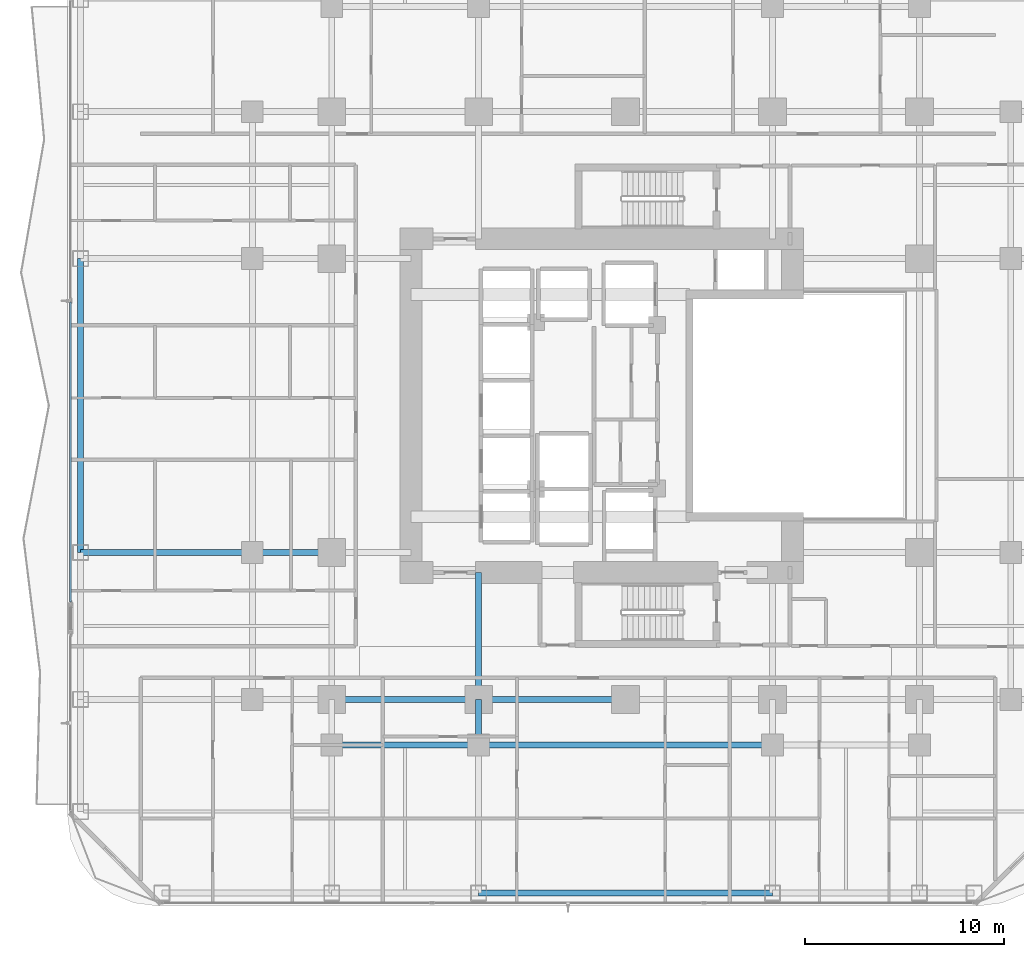
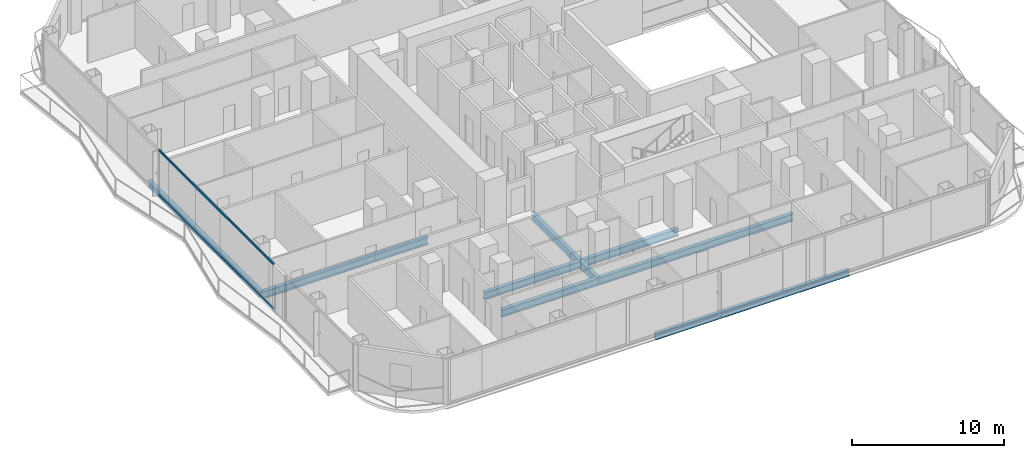
# One storey, part 5 of 30: 10 beams, 2 members, 1 element without a shape of its own.
"""IFC4 building model written with IfcOpenShell, lengths in metres."""

from ifc_helpers import new_model, si_unit, direction, frame, origin, origin_2d, place, context, subcontext, project, spatial, hollow_rectangle, i_section, extrude, material, layer, layer_set, material_profile, profile_set, type_object, element, aggregate, save


model = new_model("IFC4")

# Units and contexts
model_context = context("Model", 3, precision=1e-05, world=origin(), true_north=direction((0.0, 1.0)))
body_context = subcontext(model_context, "Body", "Model", "MODEL_VIEW")
ifc_project = project(units=[si_unit("LENGTHUNIT", "METRE"), si_unit("AREAUNIT", "SQUARE_METRE"), si_unit("VOLUMEUNIT", "CUBIC_METRE"), si_unit("PLANEANGLEUNIT", "RADIAN"), si_unit("MASSUNIT", "GRAM", prefix="KILO")], contexts=[model_context])

# Site, building, storey
site_placement = place(None, origin())
site = spatial("IfcSite", under=ifc_project, at=site_placement, CompositionType="ELEMENT")
building_placement = place(site_placement, origin())
building = spatial("IfcBuilding", under=site, at=building_placement, Name="Khorvyn Point Tower", CompositionType="ELEMENT")
storey_placement = place(building_placement, frame((0.0, 0.0, 57.89990234375)))
storey = spatial("IfcBuildingStorey", under=building, at=storey_placement, Name="L15", CompositionType="ELEMENT", Elevation=57.89990234375)

# Curtain wall, members
ifc_material_1 = material(Name="Anodised aluminium 6063-T6 and laminated Low-E glass", Category="aluminium")
ifc_layer = layer(ifc_material_1, 0.18994140625)
ifc_layer_set = layer_set([ifc_layer], Name="Stick-Built Finned Residential Curtain Wall CW-SYS-02")
curtain_wall_type = type_object("IfcCurtainWallType", Name="Stick-Built Finned Residential Curtain Wall CW-SYS-02", PredefinedType="NOTDEFINED", material=ifc_layer_set)
curtain_wall_placement = place(storey_placement, origin())
curtain_wall = element("IfcCurtainWall", 1, at=curtain_wall_placement, inside=storey, type_object=curtain_wall_type, Name="Curtain Wall", PredefinedType="NOTDEFINED")
ifc_material_2 = material(Name="Anodised aluminium 6063-T6", Category="aluminium")
ifc_material_profile_1 = material_profile(ifc_material_2, hollow_rectangle(XDim=0.10009765625, YDim=0.159912109375, WallThickness=0.00439453125, at=origin_2d()))
ifc_profile_set_1 = profile_set([ifc_material_profile_1], Name="Anodised aluminium 6063-T6 ALU-TRN-100x160")
member_type = type_object("IfcMemberType", Name="Anodised Aluminium 6063-T6 Transom ALU-TRN-100x160", PredefinedType="USERDEFINED", material=ifc_profile_set_1)
member_1_placement = place(storey_placement, frame((-27.949951171875, -9.89990234375, 0.050048828125), z_axis=(0.0, 1.0, 0.0), x_axis=(-1.0, 0.0, 0.0)))
member_1 = element("IfcMember", 2, at=member_1_placement, type_object=member_type, Name="Transom", ObjectType="TRANSOM", PredefinedType="USERDEFINED", context=body_context, shape_type="SweptSolid", body=[
    extrude(hollow_rectangle(XDim=0.10009765625, YDim=0.159912109375, WallThickness=0.00439453125, at=origin_2d()), origin(), (0.0, 0.0, 1.0), 15.125),
])
member_2_placement = place(storey_placement, frame((-27.949951171875, -9.89990234375, 3.630126953125), z_axis=(0.0, 1.0, 0.0), x_axis=(-1.0, 0.0, 0.0)))
member_2 = element("IfcMember", 3, at=member_2_placement, type_object=member_type, Name="Transom", ObjectType="TRANSOM", PredefinedType="USERDEFINED", context=body_context, shape_type="SweptSolid", body=[
    extrude(hollow_rectangle(XDim=0.10009765625, YDim=0.159912109375, WallThickness=0.00439453125, at=origin_2d()), origin(), (0.0, 0.0, 1.0), 15.125),
])
aggregate(curtain_wall, [member_1, member_2])

# Beams
ifc_material_3 = material(Name="Steel S355", Category="steel")
ifc_material_profile_2 = material_profile(ifc_material_3, i_section(OverallWidth=0.300048828125, OverallDepth=0.587890625, WebThickness=0.011962890625, FlangeThickness=0.02001953125, at=origin_2d()))
ifc_profile_set_2 = profile_set([ifc_material_profile_2], Name="Steel S355 H588x300x12x20")
beam_type_1 = type_object("IfcBeamType", Name="Steel S355 Beam H588x300x12x20", PredefinedType="BEAM", material=ifc_profile_set_2)
beam_1_placement = place(storey_placement, frame((-14.800048828125, -14.800048828125, -0.513916015625), z_axis=(1.0, 0.0, 0.0), x_axis=(0.0, 1.0, 0.0)))
element("IfcBeam", 4, at=beam_1_placement, inside=storey, type_object=beam_type_1, Name="Beam", PredefinedType="BEAM", context=body_context, shape_type="SweptSolid", body=[
    extrude(i_section(OverallWidth=0.300048828125, OverallDepth=0.587890625, WebThickness=0.011962890625, FlangeThickness=0.02001953125, at=origin_2d()), origin(), (0.0, 0.0, 1.0), 7.400146484375),
])
beam_2_placement = place(storey_placement, frame((-7.39990234375, -14.800048828125, -0.513916015625), z_axis=(1.0, 0.0, 0.0), x_axis=(0.0, 1.0, 0.0)))
element("IfcBeam", 5, at=beam_2_placement, inside=storey, type_object=beam_type_1, Name="Beam", PredefinedType="BEAM", context=body_context, shape_type="SweptSolid", body=[
    extrude(i_section(OverallWidth=0.300048828125, OverallDepth=0.587890625, WebThickness=0.011962890625, FlangeThickness=0.02001953125, at=origin_2d()), origin(), (0.0, 0.0, 1.0), 7.39990234375),
])
beam_3_placement = place(storey_placement, frame((-27.449951171875, -7.39990234375, -0.513916015625), z_axis=(1.0, 0.0, 0.0), x_axis=(0.0, 1.0, 0.0)))
element("IfcBeam", 6, at=beam_3_placement, inside=storey, type_object=beam_type_1, Name="Beam", PredefinedType="BEAM", context=body_context, shape_type="SweptSolid", body=[
    extrude(i_section(OverallWidth=0.300048828125, OverallDepth=0.587890625, WebThickness=0.011962890625, FlangeThickness=0.02001953125, at=origin_2d()), origin(), (0.0, 0.0, 1.0), 8.64990234375),
])
beam_4_placement = place(storey_placement, frame((-18.800048828125, -7.39990234375, -0.513916015625), z_axis=(1.0, 0.0, 0.0), x_axis=(0.0, 1.0, 0.0)))
element("IfcBeam", 7, at=beam_4_placement, inside=storey, type_object=beam_type_1, Name="Beam", PredefinedType="BEAM", context=body_context, shape_type="SweptSolid", body=[
    extrude(i_section(OverallWidth=0.300048828125, OverallDepth=0.587890625, WebThickness=0.011962890625, FlangeThickness=0.02001953125, at=origin_2d()), origin(), (0.0, 0.0, 1.0), 4.0),
])
beam_5_placement = place(storey_placement, frame((-14.800048828125, -17.10009765625, -0.513916015625), z_axis=(1.0, 0.0, 0.0), x_axis=(0.0, 1.0, 0.0)))
element("IfcBeam", 8, at=beam_5_placement, inside=storey, type_object=beam_type_1, Name="Beam", PredefinedType="BEAM", context=body_context, shape_type="SweptSolid", body=[
    extrude(i_section(OverallWidth=0.300048828125, OverallDepth=0.587890625, WebThickness=0.011962890625, FlangeThickness=0.02001953125, at=origin_2d()), origin(), (0.0, 0.0, 1.0), 7.400146484375),
])
beam_6_placement = place(storey_placement, frame((-7.39990234375, -17.10009765625, -0.513916015625), z_axis=(1.0, 0.0, 0.0), x_axis=(0.0, 1.0, 0.0)))
element("IfcBeam", 9, at=beam_6_placement, inside=storey, type_object=beam_type_1, Name="Beam", PredefinedType="BEAM", context=body_context, shape_type="SweptSolid", body=[
    extrude(i_section(OverallWidth=0.300048828125, OverallDepth=0.587890625, WebThickness=0.011962890625, FlangeThickness=0.02001953125, at=origin_2d()), origin(), (0.0, 0.0, 1.0), 14.7998046875),
])
beam_7_placement = place(storey_placement, frame((-7.39990234375, -17.10009765625, -0.513916015625), z_axis=(0.0, 1.0, 0.0), x_axis=(-1.0, 0.0, 0.0)))
element("IfcBeam", 10, at=beam_7_placement, inside=storey, type_object=beam_type_1, Name="Beam", PredefinedType="BEAM", context=body_context, shape_type="SweptSolid", body=[
    extrude(i_section(OverallWidth=0.300048828125, OverallDepth=0.587890625, WebThickness=0.011962890625, FlangeThickness=0.02001953125, at=origin_2d()), origin(), (0.0, 0.0, 1.0), 2.300048828125),
])
beam_8_placement = place(storey_placement, frame((-7.39990234375, -14.800048828125, -0.513916015625), z_axis=(0.0, 1.0, 0.0), x_axis=(-1.0, 0.0, 0.0)))
element("IfcBeam", 11, at=beam_8_placement, inside=storey, type_object=beam_type_1, Name="Beam", PredefinedType="BEAM", context=body_context, shape_type="SweptSolid", body=[
    extrude(i_section(OverallWidth=0.300048828125, OverallDepth=0.587890625, WebThickness=0.011962890625, FlangeThickness=0.02001953125, at=origin_2d()), origin(), (0.0, 0.0, 1.0), 6.400146484375),
])
ifc_material_profile_3 = material_profile(ifc_material_3, i_section(OverallWidth=0.300048828125, OverallDepth=0.488037109375, WebThickness=0.010986328125, FlangeThickness=0.01806640625, at=origin_2d()))
ifc_profile_set_3 = profile_set([ifc_material_profile_3], Name="Steel S355 H488x300x11x18")
beam_type_2 = type_object("IfcBeamType", Name="Steel S355 Spandrel H488x300x11x18", PredefinedType="SPANDREL", material=ifc_profile_set_3)
for number, where, z_axis, x_axis, name in (
    (12, (-7.39990234375, -24.550048828125, -0.4638671875), (1.0, 0.0, 0.0), (0.0, 1.0, 0.0), "Beam"),
    (13, (-27.449951171875, -7.39990234375, -0.4638671875), (0.0, 1.0, 0.0), (-1.0, 0.0, 0.0), "Beam"),
):
    element("IfcBeam", number, at=place(storey_placement, frame(where, z_axis=z_axis, x_axis=x_axis)), inside=storey, type_object=beam_type_2, Name=name, PredefinedType="SPANDREL", context=body_context, shape_type="SweptSolid", body=[
        extrude(i_section(OverallWidth=0.300048828125, OverallDepth=0.488037109375, WebThickness=0.010986328125, FlangeThickness=0.01806640625, at=origin_2d()), origin(), (0.0, 0.0, 1.0), 14.7998046875),
    ])

save(model, "model.ifc")
